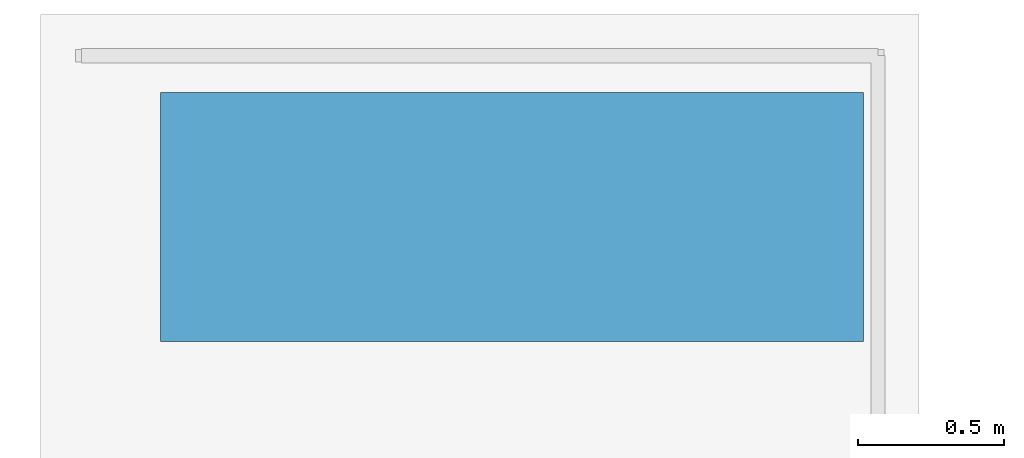
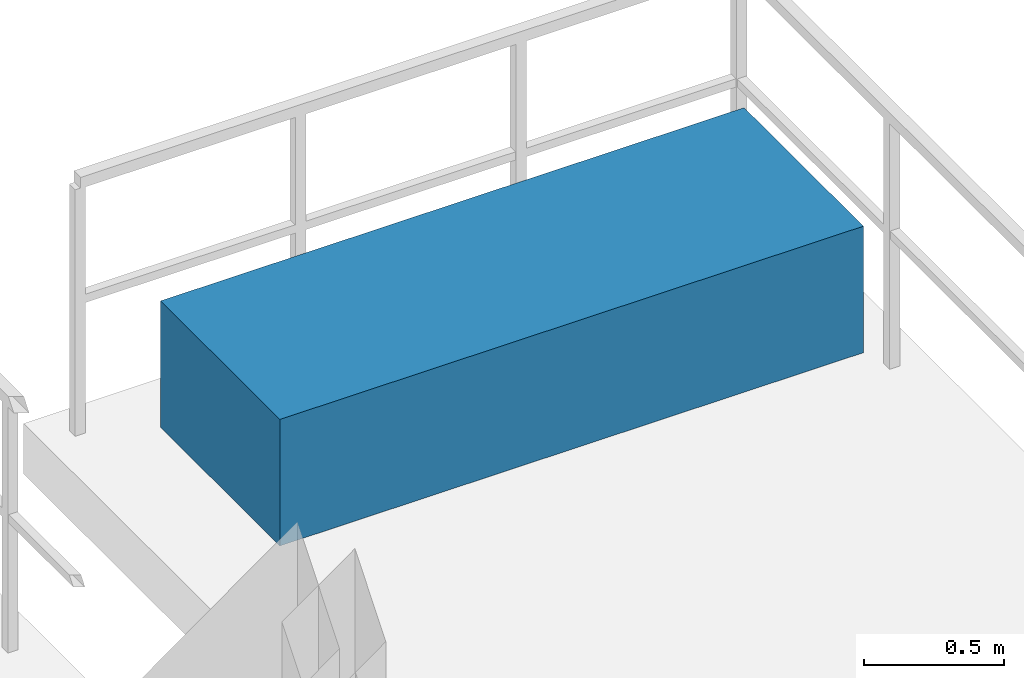
# One storey, part 29 of 33: 1 building element part.
"""IFC4 building model written with IfcOpenShell, lengths in metres."""

from ifc_helpers import new_model, si_unit, direction, frame, origin, origin_2d, place, context, subcontext, project, spatial, rectangle, extrude, material, layer, layer_set, type_object, element, save


model = new_model("IFC4")

# Units and contexts
model_context = context("Model", 3, precision=1e-05, world=origin(), true_north=direction((0.0, 1.0)))
body_context = subcontext(model_context, "Body", "Model", "MODEL_VIEW")
ifc_project = project(units=[si_unit("LENGTHUNIT", "METRE"), si_unit("AREAUNIT", "SQUARE_METRE"), si_unit("VOLUMEUNIT", "CUBIC_METRE"), si_unit("PLANEANGLEUNIT", "RADIAN"), si_unit("MASSUNIT", "GRAM", prefix="KILO")], contexts=[model_context])

# Site, building, storey
site_placement = place(None, origin())
site = spatial("IfcSite", under=ifc_project, at=site_placement, CompositionType="ELEMENT")
building_placement = place(site_placement, origin())
building = spatial("IfcBuilding", under=site, at=building_placement, Name="Zuhayl Quay Hotel", CompositionType="ELEMENT")
storey_placement = place(building_placement, frame((0.0, 0.0, 211.14990234375)))
storey = spatial("IfcBuildingStorey", under=building, at=storey_placement, Name="L53", CompositionType="ELEMENT", Elevation=211.14990234375)

# Building element part
ifc_material = material(Name="Precast concrete C45/55", Category="concrete")
ifc_layer = layer(ifc_material, 0.550048828125, Name="Precast concrete C45/55", Category="concrete")
ifc_layer_set = layer_set([ifc_layer], Name="Precast concrete C45/55")
building_element_part_type = type_object("IfcBuildingElementPartType", Name="PT_PLANTER_KERB", PredefinedType="PRECASTPANEL", material=ifc_layer_set)
building_element_part_placement = place(storey_placement, frame((20.31005859375, 35.010009765625, 0.0), z_axis=(0.0, 0.0, 1.0), x_axis=(1.0, 0.0, 0.0)))
element("IfcBuildingElementPart", 1, at=building_element_part_placement, inside=storey, type_object=building_element_part_type, Name="L53 Spiral Sky-Terrace Planter Box NE", PredefinedType="PRECASTPANEL", context=body_context, shape_type="SweptSolid", body=[
    extrude(rectangle(XDim=2.39990234375, YDim=0.85009765625, at=origin_2d()), origin(), (0.0, 0.0, 1.0), 0.550048828125),
])

save(model, "model.ifc")
